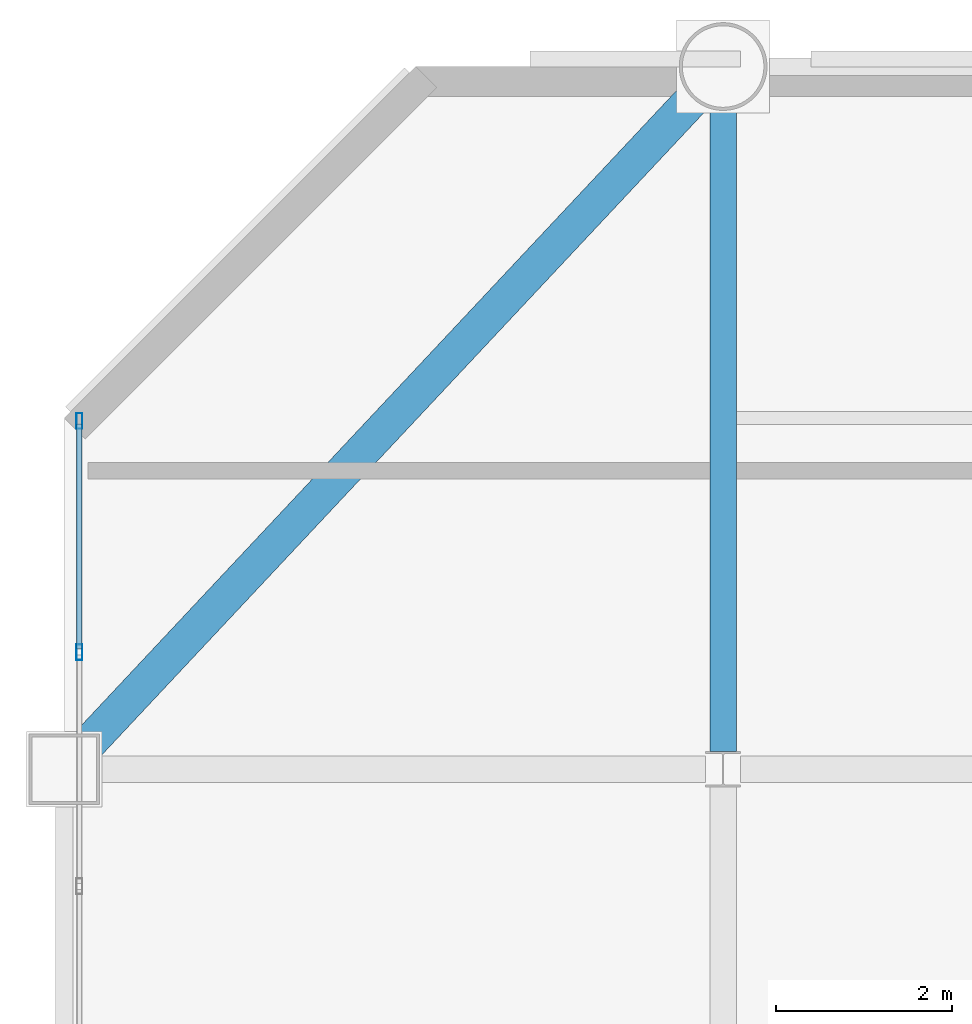
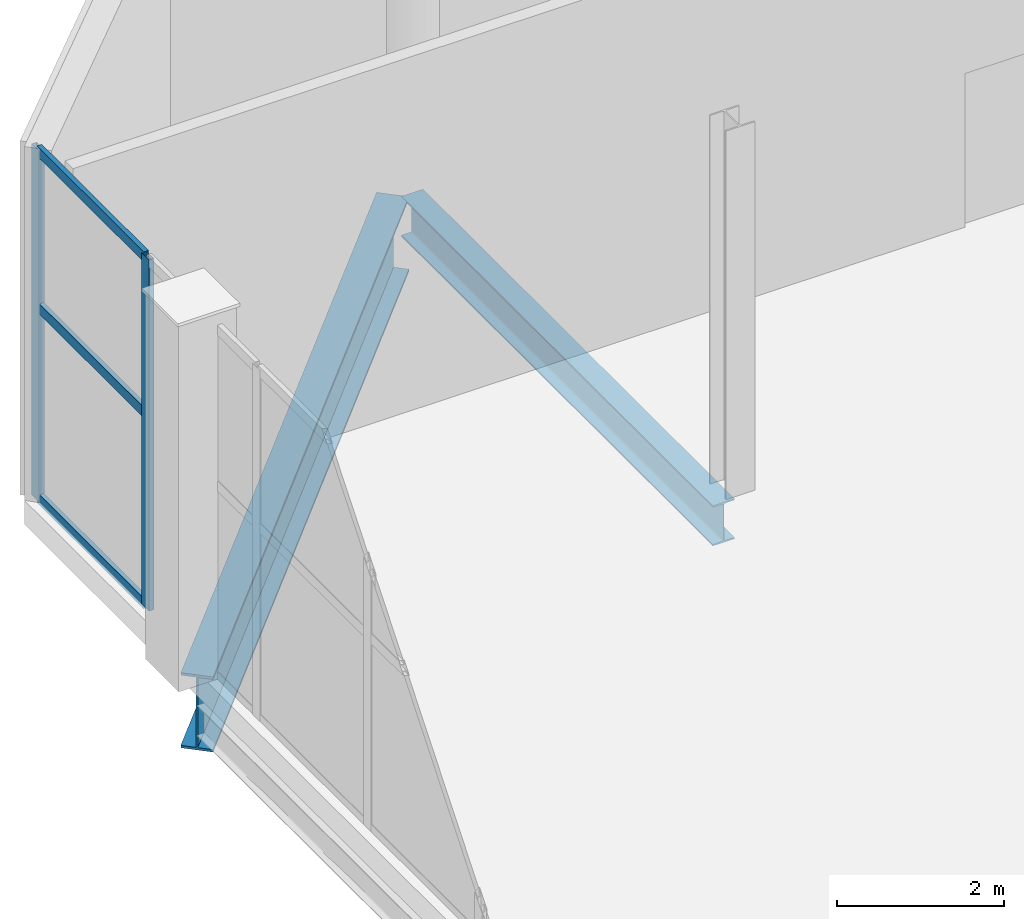
# One storey, part 15 of 23: 5 members, 2 beams, 1 element without a shape of its own.
"""IFC4 building model written with IfcOpenShell, lengths in metres."""

from ifc_helpers import new_model, si_unit, direction, frame, origin, origin_2d, place, context, subcontext, project, spatial, hollow_rectangle, i_section, extrude, material, layer, layer_set, material_profile, profile_set, type_object, element, aggregate, save


model = new_model("IFC4")

# Units and contexts
model_context = context("Model", 3, precision=1e-05, world=origin(), true_north=direction((0.0, 1.0)))
body_context = subcontext(model_context, "Body", "Model", "MODEL_VIEW")
ifc_project = project(units=[si_unit("LENGTHUNIT", "METRE"), si_unit("AREAUNIT", "SQUARE_METRE"), si_unit("VOLUMEUNIT", "CUBIC_METRE"), si_unit("PLANEANGLEUNIT", "RADIAN"), si_unit("MASSUNIT", "GRAM", prefix="KILO")], contexts=[model_context])

# Site, building, storey
site_placement = place(None, origin())
site = spatial("IfcSite", under=ifc_project, at=site_placement, CompositionType="ELEMENT")
building_placement = place(site_placement, origin())
building = spatial("IfcBuilding", under=site, at=building_placement, Name="Qianrong Seaharbour Tower", CompositionType="ELEMENT")
storey_placement = place(building_placement, frame((0.0, 0.0, 281.800048828125)))
storey = spatial("IfcBuildingStorey", under=building, at=storey_placement, Name="L68", CompositionType="ELEMENT", Elevation=281.800048828125)

# Beams
ifc_material_1 = material(Name="Structural steel SN490B", Category="steel")
ifc_material_profile_1 = material_profile(ifc_material_1, i_section(OverallWidth=0.300048828125, OverallDepth=0.587890625, WebThickness=0.011962890625, FlangeThickness=0.02001953125, FilletRadius=0.02392578125, at=origin_2d()), Name="H588x300x12x20")
ifc_profile_set_1 = profile_set([ifc_material_profile_1], Name="Structural steel SN490B")
beam_type_1 = type_object("IfcBeamType", Name="BM-G-588", PredefinedType="BEAM", material=ifc_profile_set_1)
beam_1_placement = place(storey_placement, frame((16.5, 44.199951171875, -0.64404296875), z_axis=(0.0, 1.0, 0.0), x_axis=(-1.0, 0.0, 0.0)))
element("IfcBeam", 1, at=beam_1_placement, inside=storey, type_object=beam_type_1, Name="L68 Primary Girder G3 GG-GH", PredefinedType="BEAM", context=body_context, shape_type="SweptSolid", body=[
    extrude(i_section(OverallWidth=0.300048828125, OverallDepth=0.587890625, WebThickness=0.011962890625, FlangeThickness=0.02001953125, FilletRadius=0.02392578125, at=origin_2d()), origin(), (0.0, 0.0, 1.0), 7.47998046875),
])
ifc_material_profile_2 = material_profile(ifc_material_1, i_section(OverallWidth=0.39990234375, OverallDepth=1.10009765625, WebThickness=0.02001953125, FlangeThickness=0.035888671875, at=origin_2d()), Name="BH1100x400x20x36")
ifc_profile_set_2 = profile_set([ifc_material_profile_2], Name="Structural steel SN490B")
beam_type_2 = type_object("IfcBeamType", Name="BM-TG-1100", PredefinedType="BEAM", material=ifc_profile_set_2)
beam_2_placement = place(storey_placement, frame((16.28125, 51.7666015625, -0.900146484375), z_axis=(-0.683947420573, -0.729531305628, 0.0), x_axis=(0.729531305628, -0.683947420573, 0.0)))
element("IfcBeam", 2, at=beam_2_placement, inside=storey, type_object=beam_type_2, Name="L68 Chamfer Corner Spandrel Girder G2/GH", PredefinedType="BEAM", context=body_context, shape_type="SweptSolid", body=[
    extrude(i_section(OverallWidth=0.39990234375, OverallDepth=1.10009765625, WebThickness=0.02001953125, FlangeThickness=0.035888671875, at=origin_2d()), origin(), (0.0, 0.0, 1.0), 10.326171875),
])

# Curtain wall, members
ifc_material_2 = material(Name="Anodised aluminium 6063-T6 and laminated low-e glass", Category="aluminium")
ifc_layer = layer(ifc_material_2, 0.18505859375)
ifc_layer_set = layer_set([ifc_layer], Name="Anodised aluminium 6063-T6 and laminated low-e glass")
curtain_wall_type = type_object("IfcCurtainWallType", Name="CW-SYS-4", PredefinedType="NOTDEFINED", material=ifc_layer_set)
curtain_wall_placement = place(storey_placement, origin())
curtain_wall = element("IfcCurtainWall", 3, at=curtain_wall_placement, inside=storey, type_object=curtain_wall_type, Name="L68 Refuge Acoustic Louvre Curtain Wall WEST_TIP", PredefinedType="NOTDEFINED")
ifc_material_3 = material(Name="Extruded aluminium 6063-T6", Category="aluminium")
ifc_material_profile_3 = material_profile(ifc_material_3, hollow_rectangle(XDim=0.070068359375, YDim=0.179931640625, WallThickness=0.00390625, at=origin_2d()), Name="ALU-MUL-180x70x4")
ifc_profile_set_3 = profile_set([ifc_material_profile_3], Name="Extruded aluminium 6063-T6")
member_type_1 = type_object("IfcMemberType", Name="CW-MUL-180", PredefinedType="MULLION", material=ifc_profile_set_3)
member_1_placement = place(storey_placement, frame((9.169921875, 45.333251953125, 0.0), z_axis=(0.0, 0.0, 1.0), x_axis=(-1.0, 0.0, 0.0)))
member_1 = element("IfcMember", 4, at=member_1_placement, type_object=member_type_1, Name="CW-4 mullion 6", PredefinedType="MULLION", context=body_context, shape_type="SweptSolid", body=[
    extrude(hollow_rectangle(XDim=0.070068359375, YDim=0.179931640625, WallThickness=0.00390625, at=origin_2d()), origin(), (0.0, 0.0, 1.0), 5.14501953125),
])
member_2_placement = place(storey_placement, frame((9.169921875, 47.965087890625, 0.0), z_axis=(0.0, 0.0, 1.0), x_axis=(-1.0, 0.0, 0.0)))
member_2 = element("IfcMember", 5, at=member_2_placement, type_object=member_type_1, Name="CW-4 mullion 7", PredefinedType="MULLION", context=body_context, shape_type="SweptSolid", body=[
    extrude(hollow_rectangle(XDim=0.070068359375, YDim=0.179931640625, WallThickness=0.00390625, at=origin_2d()), origin(), (0.0, 0.0, 1.0), 5.14501953125),
])
ifc_material_profile_4 = material_profile(ifc_material_3, hollow_rectangle(XDim=0.06494140625, YDim=0.14990234375, WallThickness=0.00390625, at=origin_2d()), Name="ALU-TRN-150x65x4")
ifc_profile_set_4 = profile_set([ifc_material_profile_4], Name="Extruded aluminium 6063-T6")
member_type_2 = type_object("IfcMemberType", Name="CW-TRN-150", PredefinedType="USERDEFINED", material=ifc_profile_set_4)
member_3_placement = place(storey_placement, frame((9.169921875, 45.368408203125, 0.032470703125), z_axis=(0.0, 1.0, 0.0), x_axis=(-1.0, 0.0, 0.0)))
member_3 = element("IfcMember", 6, at=member_3_placement, type_object=member_type_2, Name="CW-4 transom 6.1", ObjectType="TRANSOM", PredefinedType="USERDEFINED", context=body_context, shape_type="SweptSolid", body=[
    extrude(hollow_rectangle(XDim=0.06494140625, YDim=0.14990234375, WallThickness=0.00390625, at=origin_2d()), origin(), (0.0, 0.0, 1.0), 2.5615234375),
])
member_4_placement = place(storey_placement, frame((9.169921875, 45.368408203125, 2.829833984375), z_axis=(0.0, 1.0, 0.0), x_axis=(-1.0, 0.0, 0.0)))
member_4 = element("IfcMember", 7, at=member_4_placement, type_object=member_type_2, Name="CW-4 transom 6.2", ObjectType="TRANSOM", PredefinedType="USERDEFINED", context=body_context, shape_type="SweptSolid", body=[
    extrude(hollow_rectangle(XDim=0.06494140625, YDim=0.14990234375, WallThickness=0.00390625, at=origin_2d()), origin(), (0.0, 0.0, 1.0), 2.5615234375),
])
member_5_placement = place(storey_placement, frame((9.169921875, 45.368408203125, 5.112548828125), z_axis=(0.0, 1.0, 0.0), x_axis=(-1.0, 0.0, 0.0)))
member_5 = element("IfcMember", 8, at=member_5_placement, type_object=member_type_2, Name="CW-4 transom 6.3", ObjectType="TRANSOM", PredefinedType="USERDEFINED", context=body_context, shape_type="SweptSolid", body=[
    extrude(hollow_rectangle(XDim=0.06494140625, YDim=0.14990234375, WallThickness=0.00390625, at=origin_2d()), origin(), (0.0, 0.0, 1.0), 2.5615234375),
])
aggregate(curtain_wall, [member_1, member_2, member_3, member_4, member_5])

save(model, "model.ifc")
